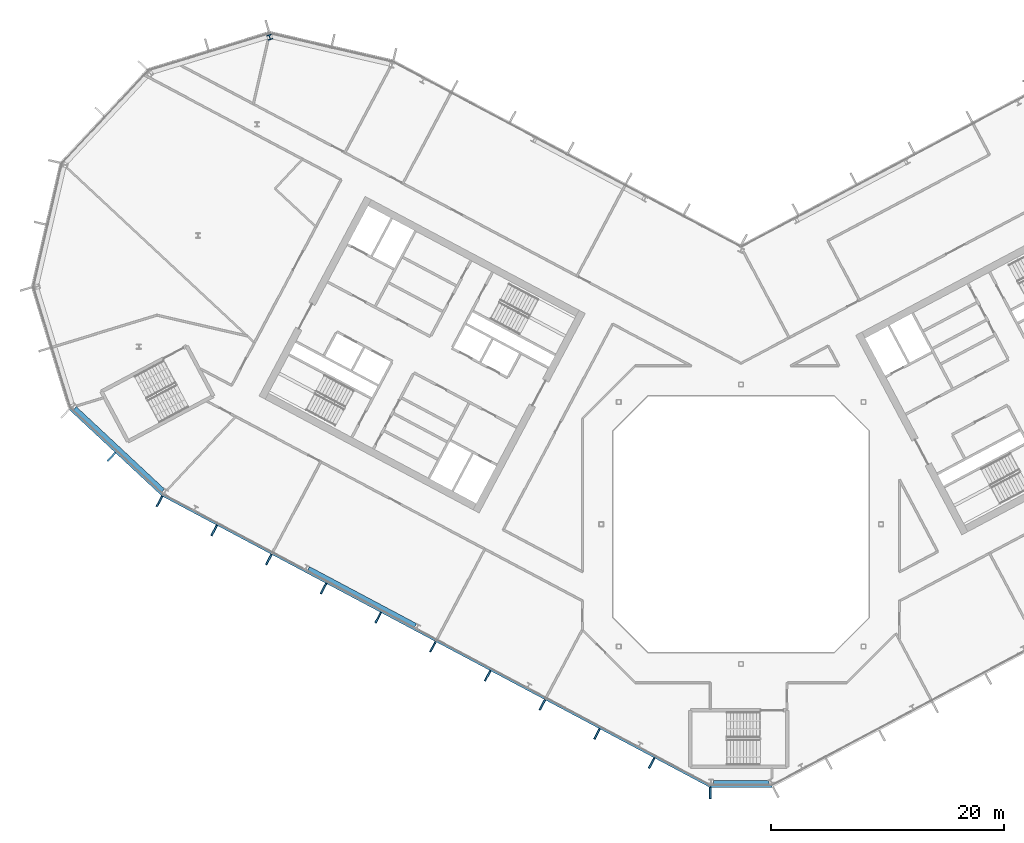
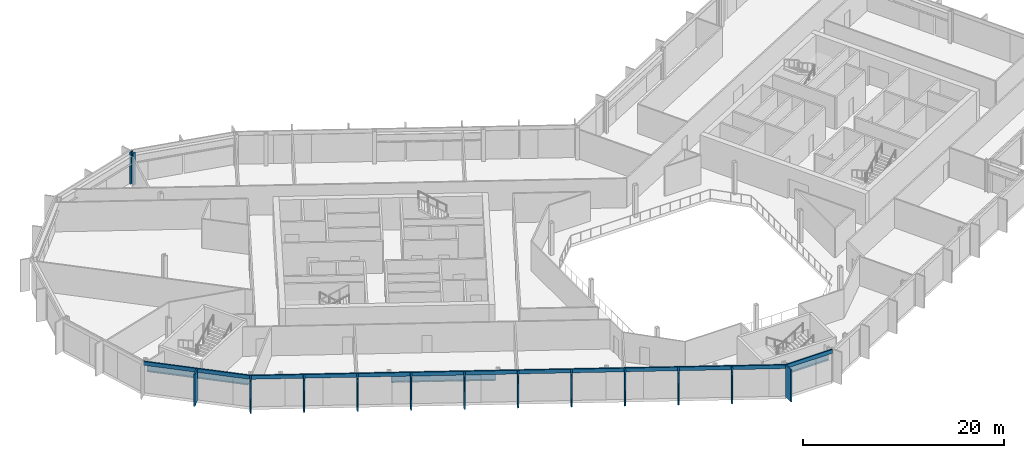
# One storey, part 8 of 27: 15 members, 3 beams, 1 column, 3 elements without a shape of their own.
"""IFC4 building model written with IfcOpenShell, lengths in metres."""

from ifc_helpers import new_model, si_unit, direction, frame, origin, origin_2d, place, context, subcontext, project, spatial, rectangle, i_section, extrude, material, layer, layer_set, material_profile, profile_set, type_object, element, aggregate, save


model = new_model("IFC4")

# Units and contexts
model_context = context("Model", 3, precision=1e-05, world=origin(), true_north=direction((0.0, 1.0)))
body_context = subcontext(model_context, "Body", "Model", "MODEL_VIEW")
ifc_project = project(units=[si_unit("LENGTHUNIT", "METRE"), si_unit("AREAUNIT", "SQUARE_METRE"), si_unit("VOLUMEUNIT", "CUBIC_METRE"), si_unit("PLANEANGLEUNIT", "RADIAN"), si_unit("MASSUNIT", "GRAM", prefix="KILO")], contexts=[model_context])

# Site, building, storey
site_placement = place(None, origin())
site = spatial("IfcSite", under=ifc_project, at=site_placement, CompositionType="ELEMENT")
building_placement = place(site_placement, origin())
building = spatial("IfcBuilding", under=site, at=building_placement, Name="Cormorant Relay Tower", CompositionType="ELEMENT")
storey_placement = place(building_placement, frame((0.0, 0.0, 232.5)))
storey = spatial("IfcBuildingStorey", under=building, at=storey_placement, Name="L51", CompositionType="ELEMENT", Elevation=232.5)

# Column
ifc_material_1 = material(Name="Steel ASTM A992 (Fy 345 MPa)", Category="steel")
ifc_material_profile_1 = material_profile(ifc_material_1, i_section(OverallWidth=0.41162109375, OverallDepth=0.434326171875, WebThickness=0.035888671875, FlangeThickness=0.057373046875, FilletRadius=0.01513671875, at=origin_2d()), Name="W360x463")
ifc_profile_set_1 = profile_set([ifc_material_profile_1], Name="Steel ASTM A992 (Fy 345 MPa)")
column_type = type_object("IfcColumnType", Name="Column W360x463", PredefinedType="COLUMN", material=ifc_profile_set_1)
column_placement = place(storey_placement, frame((-40.455078125, 41.803955078125, 0.0), z_axis=(0.0, 0.0, 1.0), x_axis=(-0.956304755963, -0.292371704723, 0.0)))
element("IfcColumn", 1, at=column_placement, inside=storey, type_object=column_type, Name="Column L51-045", PredefinedType="COLUMN", context=body_context, shape_type="SweptSolid", body=[
    extrude(i_section(OverallWidth=0.41162109375, OverallDepth=0.434326171875, WebThickness=0.035888671875, FlangeThickness=0.057373046875, FilletRadius=0.01513671875, at=origin_2d()), origin(), (0.0, 0.0, 1.0), 3.89990234375),
])

# Curtain wall, member
ifc_material_2 = material(Name="Aluminium 6063-T6 anodised bronze", Category="aluminium")
ifc_layer = layer(ifc_material_2, 0.199951171875)
ifc_layer_set = layer_set([ifc_layer], Name="CW1 unitised bronze curtain wall with vertical fins")
curtain_wall_type = type_object("IfcCurtainWallType", Name="CW1 unitised bronze curtain wall with vertical fins", PredefinedType="NOTDEFINED", material=ifc_layer_set)
curtain_wall_1_placement = place(storey_placement, origin())
curtain_wall_1 = element("IfcCurtainWall", 2, at=curtain_wall_1_placement, inside=storey, type_object=curtain_wall_type, Name="CW1 curtain wall 1", PredefinedType="NOTDEFINED")
ifc_material_3 = material(Name="Aluminium 6063-T6 anodised bronze", Category="aluminium")
ifc_material_profile_2 = material_profile(ifc_material_3, rectangle(XDim=0.14990234375, YDim=1.0, at=origin_2d()), Name="AL 150x1000")
ifc_profile_set_2 = profile_set([ifc_material_profile_2], Name="Aluminium 6063-T6 anodised bronze")
member_type_1 = type_object("IfcMemberType", Name="CW1 bronze fin mullion 150 x 1000", PredefinedType="MULLION", material=ifc_profile_set_2)
member_1_placement = place(storey_placement, frame((-2.648681640625, -23.07568359375, 0.0), z_axis=(0.0, 0.0, 1.0), x_axis=(1.0, 0.0, 0.0)))
member_1 = element("IfcMember", 3, at=member_1_placement, type_object=member_type_1, Name="CW1 fin 1.1", PredefinedType="MULLION", context=body_context, shape_type="SweptSolid", body=[
    extrude(rectangle(XDim=0.14990234375, YDim=1.0, at=origin_2d()), origin(), (0.0, 0.0, 1.0), 3.89990234375),
])

curtain_wall_2_placement = place(storey_placement, origin())
curtain_wall_2 = element("IfcCurtainWall", 4, at=curtain_wall_2_placement, inside=storey, type_object=curtain_wall_type, Name="CW1 curtain wall 15", PredefinedType="NOTDEFINED")
member_2_placement = place(storey_placement, frame((-54.0439453125, 5.779296875, 0.0), z_axis=(0.0, 0.0, 1.0), x_axis=(0.731353701619, -0.681998360062, 0.0)))
member_2 = element("IfcMember", 5, at=member_2_placement, type_object=member_type_1, Name="CW1 fin 15.2", PredefinedType="MULLION", context=body_context, shape_type="SweptSolid", body=[
    extrude(rectangle(XDim=0.14990234375, YDim=1.0, at=origin_2d()), origin(), (0.0, 0.0, 1.0), 3.89990234375),
])

# Curtain wall, members
curtain_wall_3_placement = place(storey_placement, origin())
curtain_wall_3 = element("IfcCurtainWall", 6, at=curtain_wall_3_placement, inside=storey, type_object=curtain_wall_type, Name="CW1 curtain wall 16", PredefinedType="NOTDEFINED")
member_3_placement = place(storey_placement, frame((-49.920166015625, 1.96630859375, 0.0), z_axis=(0.0, 0.0, 1.0), x_axis=(0.882947592859, -0.469471562786, 0.0)))
member_3 = element("IfcMember", 7, at=member_3_placement, type_object=member_type_1, Name="CW1 fin 16.1", PredefinedType="MULLION", context=body_context, shape_type="SweptSolid", body=[
    extrude(rectangle(XDim=0.14990234375, YDim=1.0, at=origin_2d()), origin(), (0.0, 0.0, 1.0), 3.89990234375),
])
member_4_placement = place(storey_placement, frame((-45.225830078125, -0.52978515625, 0.0), z_axis=(0.0, 0.0, 1.0), x_axis=(0.882947592859, -0.469471562786, 0.0)))
member_4 = element("IfcMember", 8, at=member_4_placement, type_object=member_type_1, Name="CW1 fin 16.2", PredefinedType="MULLION", context=body_context, shape_type="SweptSolid", body=[
    extrude(rectangle(XDim=0.14990234375, YDim=1.0, at=origin_2d()), origin(), (0.0, 0.0, 1.0), 3.89990234375),
])
member_5_placement = place(storey_placement, frame((-40.531494140625, -3.025634765625, 0.0), z_axis=(0.0, 0.0, 1.0), x_axis=(0.882947592859, -0.469471562786, 0.0)))
member_5 = element("IfcMember", 9, at=member_5_placement, type_object=member_type_1, Name="CW1 fin 16.3", PredefinedType="MULLION", context=body_context, shape_type="SweptSolid", body=[
    extrude(rectangle(XDim=0.14990234375, YDim=1.0, at=origin_2d()), origin(), (0.0, 0.0, 1.0), 3.89990234375),
])
member_6_placement = place(storey_placement, frame((-35.83740234375, -5.521728515625, 0.0), z_axis=(0.0, 0.0, 1.0), x_axis=(0.882947592859, -0.469471562786, 0.0)))
member_6 = element("IfcMember", 10, at=member_6_placement, type_object=member_type_1, Name="CW1 fin 16.4", PredefinedType="MULLION", context=body_context, shape_type="SweptSolid", body=[
    extrude(rectangle(XDim=0.14990234375, YDim=1.0, at=origin_2d()), origin(), (0.0, 0.0, 1.0), 3.89990234375),
])
member_7_placement = place(storey_placement, frame((-31.14306640625, -8.017578125, 0.0), z_axis=(0.0, 0.0, 1.0), x_axis=(0.882947592859, -0.469471562786, 0.0)))
member_7 = element("IfcMember", 11, at=member_7_placement, type_object=member_type_1, Name="CW1 fin 16.5", PredefinedType="MULLION", context=body_context, shape_type="SweptSolid", body=[
    extrude(rectangle(XDim=0.14990234375, YDim=1.0, at=origin_2d()), origin(), (0.0, 0.0, 1.0), 3.89990234375),
])
member_8_placement = place(storey_placement, frame((-26.44873046875, -10.513671875, 0.0), z_axis=(0.0, 0.0, 1.0), x_axis=(0.882947592859, -0.469471562786, 0.0)))
member_8 = element("IfcMember", 12, at=member_8_placement, type_object=member_type_1, Name="CW1 fin 16.6", PredefinedType="MULLION", context=body_context, shape_type="SweptSolid", body=[
    extrude(rectangle(XDim=0.14990234375, YDim=1.0, at=origin_2d()), origin(), (0.0, 0.0, 1.0), 3.89990234375),
])
member_9_placement = place(storey_placement, frame((-21.754638671875, -13.009765625, 0.0), z_axis=(0.0, 0.0, 1.0), x_axis=(0.882947592859, -0.469471562786, 0.0)))
member_9 = element("IfcMember", 13, at=member_9_placement, type_object=member_type_1, Name="CW1 fin 16.7", PredefinedType="MULLION", context=body_context, shape_type="SweptSolid", body=[
    extrude(rectangle(XDim=0.14990234375, YDim=1.0, at=origin_2d()), origin(), (0.0, 0.0, 1.0), 3.89990234375),
])
member_10_placement = place(storey_placement, frame((-17.060302734375, -15.505615234375, 0.0), z_axis=(0.0, 0.0, 1.0), x_axis=(0.882947592859, -0.469471562786, 0.0)))
member_10 = element("IfcMember", 14, at=member_10_placement, type_object=member_type_1, Name="CW1 fin 16.8", PredefinedType="MULLION", context=body_context, shape_type="SweptSolid", body=[
    extrude(rectangle(XDim=0.14990234375, YDim=1.0, at=origin_2d()), origin(), (0.0, 0.0, 1.0), 3.89990234375),
])
member_11_placement = place(storey_placement, frame((-12.365966796875, -18.001708984375, 0.0), z_axis=(0.0, 0.0, 1.0), x_axis=(0.882947592859, -0.469471562786, 0.0)))
member_11 = element("IfcMember", 15, at=member_11_placement, type_object=member_type_1, Name="CW1 fin 16.9", PredefinedType="MULLION", context=body_context, shape_type="SweptSolid", body=[
    extrude(rectangle(XDim=0.14990234375, YDim=1.0, at=origin_2d()), origin(), (0.0, 0.0, 1.0), 3.89990234375),
])
member_12_placement = place(storey_placement, frame((-7.671630859375, -20.49755859375, 0.0), z_axis=(0.0, 0.0, 1.0), x_axis=(0.882947592859, -0.469471562786, 0.0)))
member_12 = element("IfcMember", 16, at=member_12_placement, type_object=member_type_1, Name="CW1 fin 16.10", PredefinedType="MULLION", context=body_context, shape_type="SweptSolid", body=[
    extrude(rectangle(XDim=0.14990234375, YDim=1.0, at=origin_2d()), origin(), (0.0, 0.0, 1.0), 3.89990234375),
])

# Member
ifc_material_4 = material(Name="Aluminium 6063-T6 anodised bronze", Category="aluminium")
ifc_material_profile_3 = material_profile(ifc_material_4, rectangle(XDim=0.159912109375, YDim=0.449951171875, at=origin_2d()), Name="AL 160x450")
ifc_profile_set_3 = profile_set([ifc_material_profile_3], Name="Aluminium 6063-T6 anodised bronze")
member_type_2 = type_object("IfcMemberType", Name="CW1 bronze transom 160 x 450", PredefinedType="USERDEFINED", material=ifc_profile_set_3)
member_13_placement = place(storey_placement, frame((-2.648681640625, -22.49560546875, 3.675048828125), z_axis=(1.0, 0.0, 0.0), x_axis=(0.0, 1.0, 0.0)))
member_13 = element("IfcMember", 17, at=member_13_placement, type_object=member_type_2, Name="CW1 transom 1", ObjectType="TRANSOM", PredefinedType="USERDEFINED", context=body_context, shape_type="SweptSolid", body=[
    extrude(rectangle(XDim=0.159912109375, YDim=0.449951171875, at=origin_2d()), origin(), (0.0, 0.0, 1.0), 5.29736328125),
])

aggregate(curtain_wall_1, [member_1, member_13])

member_14_placement = place(storey_placement, frame((-57.62353515625, 9.91015625, 3.675048828125), z_axis=(0.731358420696, -0.681993299437, 0.0), x_axis=(0.681993299437, 0.731358420696, 0.0)))
member_14 = element("IfcMember", 18, at=member_14_placement, type_object=member_type_2, Name="CW1 transom 15", ObjectType="TRANSOM", PredefinedType="USERDEFINED", context=body_context, shape_type="SweptSolid", body=[
    extrude(rectangle(XDim=0.159912109375, YDim=0.449951171875, at=origin_2d()), origin(), (0.0, 0.0, 1.0), 10.870361328125),
])

aggregate(curtain_wall_2, [member_2, member_14])

member_15_placement = place(storey_placement, frame((-49.64794921875, 2.478515625, 3.675048828125), z_axis=(0.882947642542, -0.469471469346, 0.0), x_axis=(0.469471469346, 0.882947642542, 0.0)))
member_15 = element("IfcMember", 19, at=member_15_placement, type_object=member_type_2, Name="CW1 transom 16", ObjectType="TRANSOM", PredefinedType="USERDEFINED", context=body_context, shape_type="SweptSolid", body=[
    extrude(rectangle(XDim=0.159912109375, YDim=0.449951171875, at=origin_2d()), origin(), (0.0, 0.0, 1.0), 53.166015625),
])

aggregate(curtain_wall_3, [member_3, member_4, member_5, member_6, member_7, member_8, member_9, member_10, member_11, member_12, member_15])

# Beams
ifc_material_5 = material(Name="Steel ASTM A992 (Fy 345 MPa)", Category="steel")
ifc_material_profile_4 = material_profile(ifc_material_5, i_section(OverallWidth=0.4013671875, OverallDepth=0.990478515625, WebThickness=0.0166015625, FlangeThickness=0.031005859375, FilletRadius=0.030029296875, at=origin_2d()), Name="W1000x320")
ifc_profile_set_4 = profile_set([ifc_material_profile_4], Name="Steel ASTM A992 (Fy 345 MPa)")
beam_type = type_object("IfcBeamType", Name="Spandrel W1000x320", PredefinedType="SPANDREL", material=ifc_profile_set_4)
beam_1_placement = place(storey_placement, frame((-2.3701171875, -22.1748046875, 3.044677734375), z_axis=(1.0, 0.0, 0.0), x_axis=(0.0, 1.0, 0.0)))
element("IfcBeam", 20, at=beam_1_placement, inside=storey, type_object=beam_type, Name="Spandrel beam L51-001", PredefinedType="SPANDREL", context=body_context, shape_type="SweptSolid", body=[
    extrude(i_section(OverallWidth=0.4013671875, OverallDepth=0.990478515625, WebThickness=0.0166015625, FlangeThickness=0.031005859375, FilletRadius=0.030029296875, at=origin_2d()), origin(), (0.0, 0.0, 1.0), 4.761474609375),
])
beam_2_placement = place(storey_placement, frame((-57.19580078125, 9.94970703125, 3.044677734375), z_axis=(0.731351589689, -0.682000624824, 0.0), x_axis=(0.682000624824, 0.731351589689, 0.0)))
element("IfcBeam", 21, at=beam_2_placement, inside=storey, type_object=beam_type, Name="Spandrel beam L51-015", PredefinedType="SPANDREL", context=body_context, shape_type="SweptSolid", body=[
    extrude(i_section(OverallWidth=0.4013671875, OverallDepth=0.990478515625, WebThickness=0.0166015625, FlangeThickness=0.031005859375, FilletRadius=0.030029296875, at=origin_2d()), origin(), (0.0, 0.0, 1.0), 10.354248046875),
])
beam_3_placement = place(storey_placement, frame((-37.134033203125, -3.812255859375, 3.044677734375), z_axis=(0.882949648898, -0.469467695918, 0.0), x_axis=(0.469467695918, 0.882949648898, 0.0)))
element("IfcBeam", 22, at=beam_3_placement, inside=storey, type_object=beam_type, Name="Spandrel beam L51-016", PredefinedType="SPANDREL", context=body_context, shape_type="SweptSolid", body=[
    extrude(i_section(OverallWidth=0.4013671875, OverallDepth=0.990478515625, WebThickness=0.0166015625, FlangeThickness=0.031005859375, FilletRadius=0.030029296875, at=origin_2d()), origin(), (0.0, 0.0, 1.0), 10.39599609375),
])

save(model, "model.ifc")
